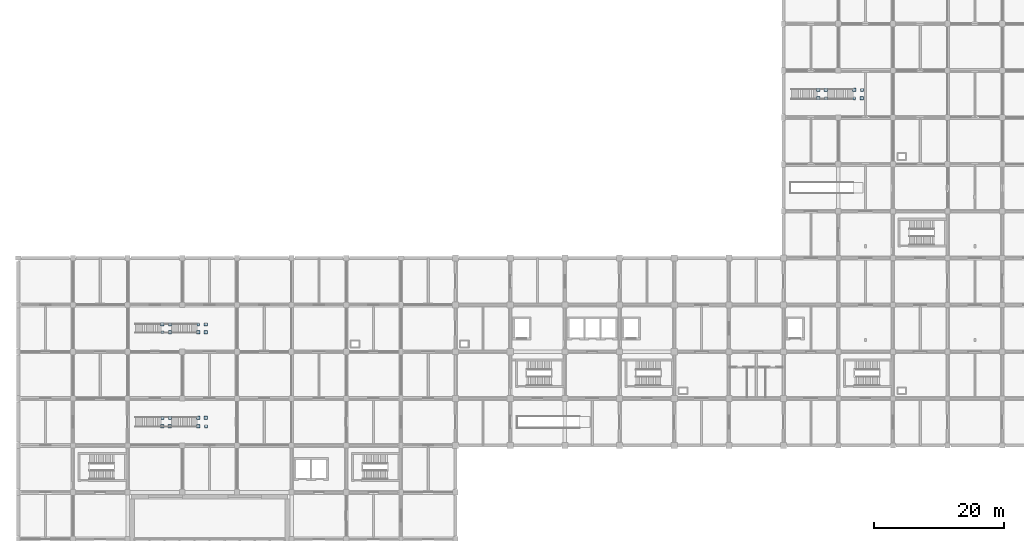
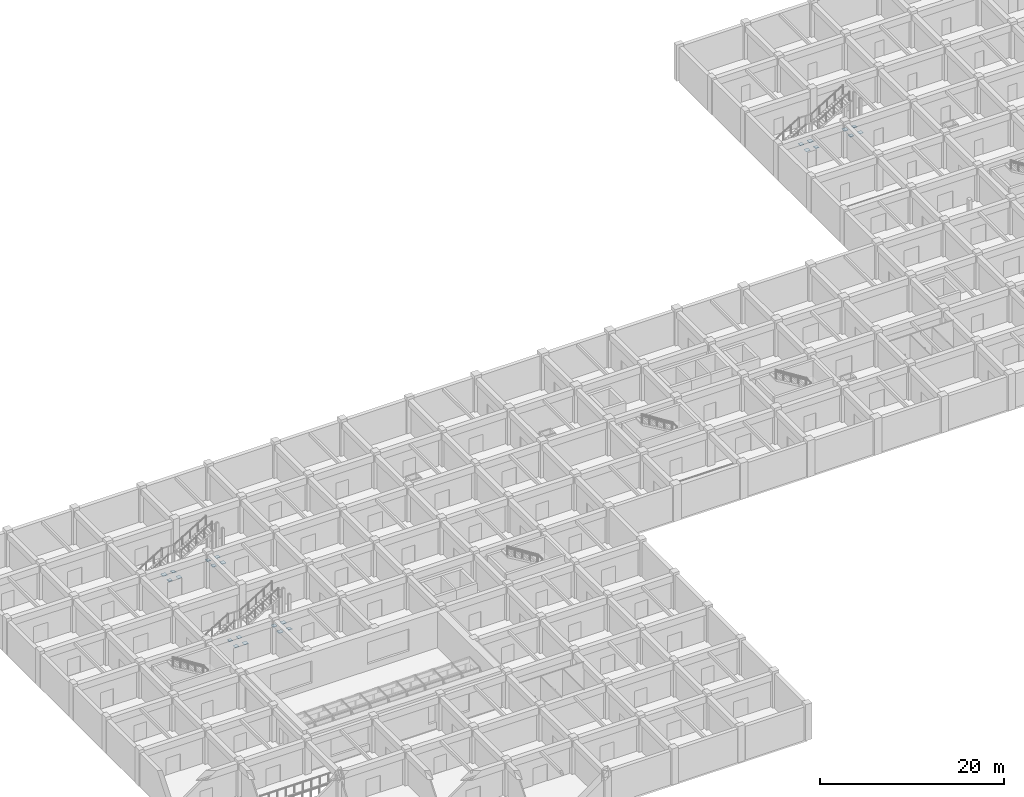
# One storey, part 15 of 32: 24 plates.
"""IFC4 building model written with IfcOpenShell, lengths in metres."""

from ifc_helpers import new_model, si_unit, derived_unit, direction, frame, origin, origin_2d, place, context, subcontext, project, spatial, rectangle, extrude, material, layer, layer_set, type_object, element, save


model = new_model("IFC4")

# Units and contexts
model_context = context("Model", 3, precision=1e-05, world=origin(), true_north=direction((0.0, 1.0)))
body_context = subcontext(model_context, "Body", "Model", "MODEL_VIEW")
ifc_project = project(units=[si_unit("LENGTHUNIT", "METRE"), si_unit("AREAUNIT", "SQUARE_METRE"), si_unit("VOLUMEUNIT", "CUBIC_METRE"), si_unit("PLANEANGLEUNIT", "RADIAN"), si_unit("MASSUNIT", "GRAM", prefix="KILO"), derived_unit("THERMALTRANSMITTANCEUNIT", [(si_unit("MASSUNIT", "GRAM", prefix="KILO"), 1), (si_unit("TIMEUNIT", "SECOND"), -3), (si_unit("THERMODYNAMICTEMPERATUREUNIT", "KELVIN"), -1)])], contexts=[model_context])

# Site, building, storey
site_placement = place(None, origin())
site = spatial("IfcSite", under=ifc_project, at=site_placement, CompositionType="ELEMENT")
building_placement = place(site_placement, origin())
building = spatial("IfcBuilding", under=site, at=building_placement, Name="Veldstrom Oceanarium and Marine Research Institute", CompositionType="ELEMENT")
storey_placement = place(building_placement, frame((0.0, 0.0, -4.800048828125)))
storey = spatial("IfcBuildingStorey", under=building, at=storey_placement, Name="B01", CompositionType="ELEMENT", Elevation=-4.800048828125)

# Plates
ifc_material_1 = material(Name="Steel S355JR", Category="steel")
ifc_layer_1 = layer(ifc_material_1, 0.034912109375)
ifc_layer_set_1 = layer_set([ifc_layer_1], Name="STR-PLT-BP2")
plate_type_1 = type_object("IfcPlateType", Name="STR-PLT-BP2", PredefinedType="SHEET", material=ifc_layer_set_1)
for number, where, z_axis, x_axis, name in (
    (1, (23.300048828125, 46.14501953125, 0.0), (0.0, 0.0, 1.0), (1.0, 0.0, 0.0), "Steel Column Base Plate BP02-042"),
    (2, (27.659912109375, 46.14501953125, 0.0), (0.0, 0.0, 1.0), (1.0, 0.0, 0.0), "Steel Column Base Plate BP02-048"),
    (3, (28.820068359375, 47.455078125, 0.0), (0.0, 0.0, 1.0), (1.0, 0.0, 0.0), "Steel Column Base Plate BP02-054"),
    (4, (22.139892578125, 61.804931640625, 0.0), (0.0, 0.0, 1.0), (1.0, 0.0, 0.0), "Steel Column Base Plate BP02-060"),
    (5, (28.820068359375, 60.594970703125, 0.0), (0.0, 0.0, 1.0), (1.0, 0.0, 0.0), "Steel Column Base Plate BP02-066"),
    (6, (122.93994140625, 96.544921875, 0.0), (0.0, 0.0, 1.0), (1.0, 0.0, 0.0), "Steel Column Base Plate BP02-072"),
    (7, (124.10009765625, 97.85498046875, 0.0), (0.0, 0.0, 1.0), (1.0, 0.0, 0.0), "Steel Column Base Plate BP02-078"),
    (8, (128.4599609375, 97.85498046875, 0.0), (0.0, 0.0, 1.0), (1.0, 0.0, 0.0), "Steel Column Base Plate BP02-084"),
):
    element("IfcPlate", number, at=place(storey_placement, frame(where, z_axis=z_axis, x_axis=x_axis)), inside=storey, type_object=plate_type_1, Name=name, PredefinedType="SHEET", context=body_context, shape_type="SweptSolid", body=[
        extrude(rectangle(XDim=0.550048828125, YDim=0.550048828125, at=origin_2d()), origin(), (0.0, 0.0, 1.0), 0.034912109375),
    ])
ifc_material_2 = material(Name="Steel S355JR", Category="steel")
ifc_layer_2 = layer(ifc_material_2, 0.031982421875)
ifc_layer_set_2 = layer_set([ifc_layer_2], Name="STR-PLT-BP3")
plate_type_2 = type_object("IfcPlateType", Name="STR-PLT-BP3", PredefinedType="SHEET", material=ifc_layer_set_2)
for number, where, z_axis, x_axis, name in (
    (9, (22.139892578125, 46.14501953125, 0.0), (0.0, 0.0, 1.0), (1.0, 0.0, 0.0), "Steel Column Base Plate BP03-040"),
    (10, (23.300048828125, 47.455078125, 0.0), (0.0, 0.0, 1.0), (1.0, 0.0, 0.0), "Steel Column Base Plate BP03-046"),
    (11, (27.659912109375, 47.455078125, 0.0), (0.0, 0.0, 1.0), (1.0, 0.0, 0.0), "Steel Column Base Plate BP03-052"),
    (12, (23.300048828125, 60.594970703125, 0.0), (0.0, 0.0, 1.0), (1.0, 0.0, 0.0), "Steel Column Base Plate BP03-058"),
    (13, (27.659912109375, 60.594970703125, 0.0), (0.0, 0.0, 1.0), (1.0, 0.0, 0.0), "Steel Column Base Plate BP03-064"),
    (14, (28.820068359375, 61.804931640625, 0.0), (0.0, 0.0, 1.0), (1.0, 0.0, 0.0), "Steel Column Base Plate BP03-070"),
    (15, (122.93994140625, 97.85498046875, 0.0), (0.0, 0.0, 1.0), (1.0, 0.0, 0.0), "Steel Column Base Plate BP03-076"),
    (16, (129.6201171875, 96.544921875, 0.0), (0.0, 0.0, 1.0), (1.0, 0.0, 0.0), "Steel Column Base Plate BP03-082"),
):
    element("IfcPlate", number, at=place(storey_placement, frame(where, z_axis=z_axis, x_axis=x_axis)), inside=storey, type_object=plate_type_2, Name=name, PredefinedType="SHEET", context=body_context, shape_type="SweptSolid", body=[
        extrude(rectangle(XDim=0.5, YDim=0.5, at=origin_2d()), origin(), (0.0, 0.0, 1.0), 0.031982421875),
    ])
ifc_material_3 = material(Name="Steel S355JR", Category="steel")
ifc_layer_3 = layer(ifc_material_3, 0.030029296875)
ifc_layer_set_3 = layer_set([ifc_layer_3], Name="STR-PLT-BP4")
plate_type_3 = type_object("IfcPlateType", Name="STR-PLT-BP4", PredefinedType="SHEET", material=ifc_layer_set_3)
for number, where, z_axis, x_axis, name in (
    (17, (22.139892578125, 47.455078125, 0.0), (0.0, 0.0, 1.0), (1.0, 0.0, 0.0), "Steel Column Base Plate BP04-044"),
    (18, (28.820068359375, 46.14501953125, 0.0), (0.0, 0.0, 1.0), (1.0, 0.0, 0.0), "Steel Column Base Plate BP04-050"),
    (19, (22.139892578125, 60.594970703125, 0.0), (0.0, 0.0, 1.0), (1.0, 0.0, 0.0), "Steel Column Base Plate BP04-056"),
    (20, (23.300048828125, 61.804931640625, 0.0), (0.0, 0.0, 1.0), (1.0, 0.0, 0.0), "Steel Column Base Plate BP04-062"),
    (21, (27.659912109375, 61.804931640625, 0.0), (0.0, 0.0, 1.0), (1.0, 0.0, 0.0), "Steel Column Base Plate BP04-068"),
    (22, (124.10009765625, 96.544921875, 0.0), (0.0, 0.0, 1.0), (1.0, 0.0, 0.0), "Steel Column Base Plate BP04-074"),
    (23, (128.4599609375, 96.544921875, 0.0), (0.0, 0.0, 1.0), (1.0, 0.0, 0.0), "Steel Column Base Plate BP04-080"),
    (24, (129.6201171875, 97.85498046875, 0.0), (0.0, 0.0, 1.0), (1.0, 0.0, 0.0), "Steel Column Base Plate BP04-086"),
):
    element("IfcPlate", number, at=place(storey_placement, frame(where, z_axis=z_axis, x_axis=x_axis)), inside=storey, type_object=plate_type_3, Name=name, PredefinedType="SHEET", context=body_context, shape_type="SweptSolid", body=[
        extrude(rectangle(XDim=0.449951171875, YDim=0.449951171875, at=origin_2d()), origin(), (0.0, 0.0, 1.0), 0.030029296875),
    ])

save(model, "model.ifc")
